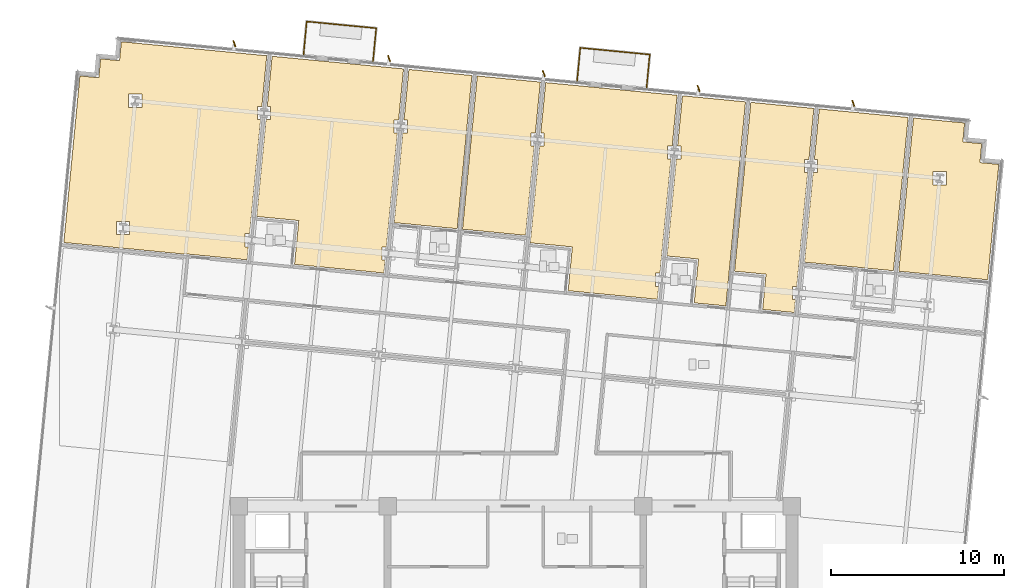
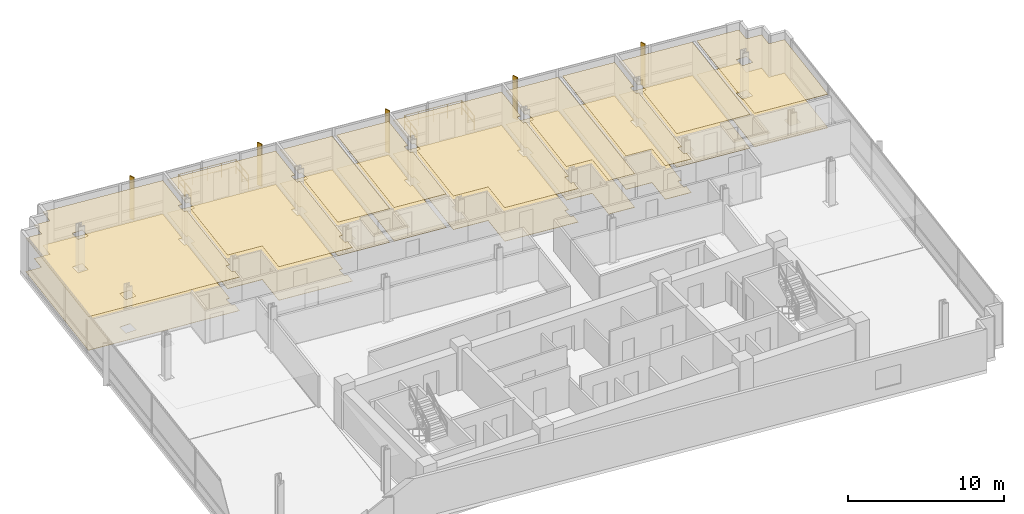
# One storey, part 16 of 17: 18 coverings, 6 railings, 5 shading devices.
"""IFC4 building model written with IfcOpenShell, lengths in metres."""

from ifc_helpers import new_model, si_unit, direction, frame, origin, origin_2d, place, context, subcontext, project, spatial, polyline, rectangle, circle, outline, extrude, material, layer, layer_set, type_object, element, save


model = new_model("IFC4")

# Units and contexts
model_context = context("Model", 3, precision=1e-05, world=origin(), true_north=direction((0.0, 1.0)))
body_context = subcontext(model_context, "Body", "Model", "MODEL_VIEW")
ifc_project = project(units=[si_unit("LENGTHUNIT", "METRE"), si_unit("AREAUNIT", "SQUARE_METRE"), si_unit("VOLUMEUNIT", "CUBIC_METRE"), si_unit("PLANEANGLEUNIT", "RADIAN"), si_unit("MASSUNIT", "GRAM", prefix="KILO")], contexts=[model_context])

# Site, building, storey
site_placement = place(None, origin())
site = spatial("IfcSite", under=ifc_project, at=site_placement, CompositionType="ELEMENT")
building_placement = place(site_placement, origin())
building = spatial("IfcBuilding", under=site, at=building_placement, Name="Solmavex Isthmus Hotel", CompositionType="ELEMENT")
storey_placement = place(building_placement, frame((0.0, 0.0, 139.35009765625)))
storey = spatial("IfcBuildingStorey", under=building, at=storey_placement, Name="L37", CompositionType="ELEMENT", Elevation=139.35009765625)

# Coverings
ifc_material_1 = material(Name="Gypsum plasterboard lining", Category="gypsum")
ifc_layer_1 = layer(ifc_material_1, 0.030029296875)
ifc_layer_set_1 = layer_set([ifc_layer_1], Name="Gypsum plasterboard lining")
covering_type_1 = type_object("IfcCoveringType", Name="COV-CEIL-GYP", PredefinedType="CEILING", material=ifc_layer_set_1)
covering_1_placement = place(storey_placement, frame((0.0, 0.0, 2.619873046875)))
element("IfcCovering", 1, at=covering_1_placement, inside=storey, type_object=covering_type_1, Name="Suspended Acoustic Ceiling L37-RM01", PredefinedType="CEILING", context=body_context, shape_type="SweptSolid", body=[
    extrude(outline(polyline([(-19.121337890625, 12.088623046875), (-19.119384765625, 12.1083984375), (-15.535888671875, 11.763427734375), (-15.463623046875, 12.51611328125), (-15.651123046875, 12.51611328125), (-15.651123046875, 13.276123046875), (-15.390380859375, 13.276123046875), (-14.755126953125, 19.874267578125), (-14.942626953125, 19.874267578125), (-14.942626953125, 20.63427734375), (-14.681884765625, 20.63427734375), (-14.3984375, 23.578857421875), (-21.99609375, 24.310302734375), (-22.8173828125, 24.389404296875), (-22.9228515625, 23.29443359375), (-24.017822265625, 23.39990234375), (-24.123291015625, 22.304931640625), (-25.218017578125, 22.410400390625), (-25.297119140625, 21.589111328125), (-26.14697265625, 12.764892578125), (-19.121337890625, 12.088623046875)]), holes=[polyline([(-22.396240234375, 20.591796875), (-22.396240234375, 21.351806640625), (-21.63623046875, 21.351806640625), (-21.63623046875, 20.591796875), (-22.396240234375, 20.591796875)]), polyline([(-23.104736328125, 13.23388671875), (-23.104736328125, 13.993896484375), (-22.3447265625, 13.993896484375), (-22.3447265625, 13.23388671875), (-23.104736328125, 13.23388671875)])]), origin(), (0.0, 0.0, 1.0), 0.030029296875),
])
covering_2_placement = place(storey_placement, frame((0.0, 0.0, 2.619873046875)))
element("IfcCovering", 2, at=covering_2_placement, inside=storey, type_object=covering_type_1, Name="Suspended Acoustic Ceiling L37-RM02", PredefinedType="CEILING", context=body_context, shape_type="SweptSolid", body=[
    extrude(outline(polyline([(-14.370361328125, 20.63427734375), (-14.1826171875, 20.63427734375), (-14.1826171875, 19.874267578125), (-14.443603515625, 19.874267578125), (-14.98291015625, 14.27197265625), (-12.544189453125, 14.037109375), (-12.788818359375, 11.498779296875), (-7.61669921875, 11.000732421875), (-7.544189453125, 11.753662109375), (-7.73193359375, 11.753662109375), (-7.73193359375, 12.513671875), (-7.470947265625, 12.513671875), (-6.835693359375, 19.111572265625), (-7.0234375, 19.111572265625), (-7.0234375, 19.87158203125), (-6.762451171875, 19.87158203125), (-6.47900390625, 22.816162109375), (-14.08984375, 23.549072265625), (-14.370361328125, 20.63427734375)])), origin(), (0.0, 0.0, 1.0), 0.030029296875),
])
covering_3_placement = place(storey_placement, frame((0.0, 0.0, 2.619873046875)))
element("IfcCovering", 3, at=covering_3_placement, inside=storey, type_object=covering_type_1, Name="Suspended Acoustic Ceiling L37-TB03", PredefinedType="CEILING", context=body_context, shape_type="SweptSolid", body=[
    extrude(outline(polyline([(-6.450927734375, 19.87158203125), (-6.263427734375, 19.87158203125), (-6.263427734375, 19.111572265625), (-6.524169921875, 19.111572265625), (-7.0146484375, 14.017822265625), (-7.024658203125, 13.91552734375), (-3.37353515625, 13.56396484375), (-2.519287109375, 22.434814453125), (-6.17041015625, 22.786376953125), (-6.450927734375, 19.87158203125)])), origin(), (0.0, 0.0, 1.0), 0.030029296875),
])
covering_4_placement = place(storey_placement, frame((0.0, 0.0, 2.619873046875)))
element("IfcCovering", 4, at=covering_4_placement, inside=storey, type_object=covering_type_1, Name="Suspended Acoustic Ceiling L37-TL03", PredefinedType="CEILING", context=body_context, shape_type="SweptSolid", body=[
    extrude(outline(polyline([(1.083740234375, 18.34912109375), (0.89599609375, 18.34912109375), (0.89599609375, 19.109130859375), (1.156982421875, 19.109130859375), (1.4404296875, 22.0537109375), (-2.210693359375, 22.4052734375), (-3.06494140625, 13.5341796875), (0.586181640625, 13.1826171875), (1.083740234375, 18.34912109375)])), origin(), (0.0, 0.0, 1.0), 0.030029296875),
])
covering_5_placement = place(storey_placement, frame((0.0, 0.0, 2.619873046875)))
element("IfcCovering", 5, at=covering_5_placement, inside=storey, type_object=covering_type_1, Name="Suspended Acoustic Ceiling L37-RM04", PredefinedType="CEILING", context=body_context, shape_type="SweptSolid", body=[
    extrude(outline(polyline([(1.46826171875, 19.109130859375), (1.656005859375, 19.109130859375), (1.656005859375, 18.34912109375), (1.395263671875, 18.34912109375), (0.855712890625, 12.746826171875), (3.29443359375, 12.511962890625), (3.050048828125, 9.973876953125), (4.7333984375, 9.811767578125), (5.606201171875, 9.7275390625), (8.22216796875, 9.475830078125), (8.294677734375, 10.228515625), (8.10693359375, 10.228515625), (8.10693359375, 10.988525390625), (8.36767578125, 10.988525390625), (9.003173828125, 17.586669921875), (8.8154296875, 17.586669921875), (8.8154296875, 18.346435546875), (9.076171875, 18.346435546875), (9.35986328125, 21.291015625), (1.7490234375, 22.02392578125), (1.46826171875, 19.109130859375)])), origin(), (0.0, 0.0, 1.0), 0.030029296875),
])
covering_6_placement = place(storey_placement, frame((0.0, 0.0, 2.619873046875)))
element("IfcCovering", 6, at=covering_6_placement, inside=storey, type_object=covering_type_1, Name="Suspended Acoustic Ceiling L37-RM05", PredefinedType="CEILING", context=body_context, shape_type="SweptSolid", body=[
    extrude(outline(polyline([(9.3876953125, 18.346435546875), (9.575439453125, 18.346435546875), (9.575439453125, 17.586669921875), (9.314453125, 17.586669921875), (8.775146484375, 11.984375), (10.596435546875, 11.808837890625), (10.35205078125, 9.270751953125), (12.181884765625, 9.094482421875), (13.319580078125, 20.909912109375), (9.66845703125, 21.261474609375), (9.3876953125, 18.346435546875)])), origin(), (0.0, 0.0, 1.0), 0.030029296875),
])
covering_7_placement = place(storey_placement, frame((0.0, 0.0, 2.619873046875)))
element("IfcCovering", 7, at=covering_7_placement, inside=storey, type_object=covering_type_1, Name="Suspended Acoustic Ceiling L37-RM06", PredefinedType="CEILING", context=body_context, shape_type="SweptSolid", body=[
    extrude(outline(polyline([(16.92236328125, 16.823974609375), (16.73486328125, 16.823974609375), (16.73486328125, 17.583984375), (16.99560546875, 17.583984375), (17.279052734375, 20.528564453125), (13.628173828125, 20.880126953125), (12.686767578125, 11.105224609375), (14.50830078125, 10.929931640625), (14.311767578125, 8.889404296875), (16.1416015625, 8.713134765625), (16.2138671875, 9.466064453125), (16.0263671875, 9.466064453125), (16.0263671875, 10.22607421875), (16.287109375, 10.22607421875), (16.92236328125, 16.823974609375)])), origin(), (0.0, 0.0, 1.0), 0.030029296875),
])
covering_8_placement = place(storey_placement, frame((0.0, 0.0, 2.619873046875)))
element("IfcCovering", 8, at=covering_8_placement, inside=storey, type_object=covering_type_1, Name="Suspended Acoustic Ceiling L37-TB07", PredefinedType="CEILING", context=body_context, shape_type="SweptSolid", body=[
    extrude(outline(polyline([(17.30712890625, 17.583984375), (17.494873046875, 17.583984375), (17.494873046875, 16.823974609375), (17.23388671875, 16.823974609375), (17.139404296875, 15.841552734375), (16.733642578125, 11.6279296875), (21.8837890625, 11.132080078125), (22.738037109375, 20.0029296875), (17.587646484375, 20.498779296875), (17.30712890625, 17.583984375)])), origin(), (0.0, 0.0, 1.0), 0.030029296875),
])
covering_9_placement = place(storey_placement, frame((0.0, 0.0, 2.619873046875)))
element("IfcCovering", 9, at=covering_9_placement, inside=storey, type_object=covering_type_1, Name="Suspended Acoustic Ceiling L37-TL07", PredefinedType="CEILING", context=body_context, shape_type="SweptSolid", body=[
    extrude(outline(polyline([(26.0068359375, 19.688232421875), (25.185546875, 19.767333984375), (23.04638671875, 19.97314453125), (22.1923828125, 11.102294921875), (27.342529296875, 10.6064453125), (27.90673828125, 16.46630859375), (27.98583984375, 17.287353515625), (26.890869140625, 17.392822265625), (26.996337890625, 18.48779296875), (25.9013671875, 18.59326171875), (26.0068359375, 19.688232421875)]), holes=[polyline([(24.188232421875, 16.106201171875), (24.188232421875, 16.8662109375), (24.9482421875, 16.8662109375), (24.9482421875, 16.106201171875), (24.188232421875, 16.106201171875)])]), origin(), (0.0, 0.0, 1.0), 0.030029296875),
])
ifc_material_2 = material(Name="Travertine natural stone", Category="masonry")
ifc_layer_2 = layer(ifc_material_2, 0.02490234375)
ifc_layer_set_2 = layer_set([ifc_layer_2], Name="Travertine natural stone")
covering_type_2 = type_object("IfcCoveringType", Name="COV-FLOR-STN", PredefinedType="FLOORING", material=ifc_layer_set_2)
covering_10_placement = place(storey_placement, origin())
element("IfcCovering", 10, at=covering_10_placement, inside=storey, type_object=covering_type_2, Name="Stone and Timber Floor Finish L37-RM01", PredefinedType="FLOORING", context=body_context, shape_type="SweptSolid", body=[
    extrude(outline(polyline([(-19.121337890625, 12.088623046875), (-19.119384765625, 12.1083984375), (-15.535888671875, 11.763427734375), (-15.463623046875, 12.51611328125), (-15.651123046875, 12.51611328125), (-15.651123046875, 13.276123046875), (-15.390380859375, 13.276123046875), (-14.755126953125, 19.874267578125), (-14.942626953125, 19.874267578125), (-14.942626953125, 20.63427734375), (-14.681884765625, 20.63427734375), (-14.3984375, 23.578857421875), (-21.99609375, 24.310302734375), (-22.8173828125, 24.389404296875), (-22.9228515625, 23.29443359375), (-24.017822265625, 23.39990234375), (-24.123291015625, 22.304931640625), (-25.218017578125, 22.410400390625), (-25.297119140625, 21.589111328125), (-26.14697265625, 12.764892578125), (-19.121337890625, 12.088623046875)]), holes=[polyline([(-22.396240234375, 20.591796875), (-22.396240234375, 21.351806640625), (-21.63623046875, 21.351806640625), (-21.63623046875, 20.591796875), (-22.396240234375, 20.591796875)]), polyline([(-23.104736328125, 13.23388671875), (-23.104736328125, 13.993896484375), (-22.3447265625, 13.993896484375), (-22.3447265625, 13.23388671875), (-23.104736328125, 13.23388671875)])]), origin(), (0.0, 0.0, 1.0), 0.02490234375),
])
covering_11_placement = place(storey_placement, origin())
element("IfcCovering", 11, at=covering_11_placement, inside=storey, type_object=covering_type_2, Name="Stone and Timber Floor Finish L37-RM02", PredefinedType="FLOORING", context=body_context, shape_type="SweptSolid", body=[
    extrude(outline(polyline([(-14.370361328125, 20.63427734375), (-14.1826171875, 20.63427734375), (-14.1826171875, 19.874267578125), (-14.443603515625, 19.874267578125), (-14.98291015625, 14.27197265625), (-12.544189453125, 14.037109375), (-12.788818359375, 11.498779296875), (-7.61669921875, 11.000732421875), (-7.544189453125, 11.753662109375), (-7.73193359375, 11.753662109375), (-7.73193359375, 12.513671875), (-7.470947265625, 12.513671875), (-6.835693359375, 19.111572265625), (-7.0234375, 19.111572265625), (-7.0234375, 19.87158203125), (-6.762451171875, 19.87158203125), (-6.47900390625, 22.816162109375), (-14.08984375, 23.549072265625), (-14.370361328125, 20.63427734375)])), origin(), (0.0, 0.0, 1.0), 0.02490234375),
])
covering_12_placement = place(storey_placement, origin())
element("IfcCovering", 12, at=covering_12_placement, inside=storey, type_object=covering_type_2, Name="Stone and Timber Floor Finish L37-TB03", PredefinedType="FLOORING", context=body_context, shape_type="SweptSolid", body=[
    extrude(outline(polyline([(-6.450927734375, 19.87158203125), (-6.263427734375, 19.87158203125), (-6.263427734375, 19.111572265625), (-6.524169921875, 19.111572265625), (-7.0146484375, 14.017822265625), (-7.024658203125, 13.91552734375), (-3.37353515625, 13.56396484375), (-2.519287109375, 22.434814453125), (-6.17041015625, 22.786376953125), (-6.450927734375, 19.87158203125)])), origin(), (0.0, 0.0, 1.0), 0.02490234375),
])
covering_13_placement = place(storey_placement, origin())
element("IfcCovering", 13, at=covering_13_placement, inside=storey, type_object=covering_type_2, Name="Stone and Timber Floor Finish L37-TL03", PredefinedType="FLOORING", context=body_context, shape_type="SweptSolid", body=[
    extrude(outline(polyline([(1.083740234375, 18.34912109375), (0.89599609375, 18.34912109375), (0.89599609375, 19.109130859375), (1.156982421875, 19.109130859375), (1.4404296875, 22.0537109375), (-2.210693359375, 22.4052734375), (-3.06494140625, 13.5341796875), (0.586181640625, 13.1826171875), (1.083740234375, 18.34912109375)])), origin(), (0.0, 0.0, 1.0), 0.02490234375),
])
covering_14_placement = place(storey_placement, origin())
element("IfcCovering", 14, at=covering_14_placement, inside=storey, type_object=covering_type_2, Name="Stone and Timber Floor Finish L37-RM04", PredefinedType="FLOORING", context=body_context, shape_type="SweptSolid", body=[
    extrude(outline(polyline([(1.46826171875, 19.109130859375), (1.656005859375, 19.109130859375), (1.656005859375, 18.34912109375), (1.395263671875, 18.34912109375), (0.855712890625, 12.746826171875), (3.29443359375, 12.511962890625), (3.050048828125, 9.973876953125), (4.7333984375, 9.811767578125), (5.606201171875, 9.7275390625), (8.22216796875, 9.475830078125), (8.294677734375, 10.228515625), (8.10693359375, 10.228515625), (8.10693359375, 10.988525390625), (8.36767578125, 10.988525390625), (9.003173828125, 17.586669921875), (8.8154296875, 17.586669921875), (8.8154296875, 18.346435546875), (9.076171875, 18.346435546875), (9.35986328125, 21.291015625), (1.7490234375, 22.02392578125), (1.46826171875, 19.109130859375)])), origin(), (0.0, 0.0, 1.0), 0.02490234375),
])
covering_15_placement = place(storey_placement, origin())
element("IfcCovering", 15, at=covering_15_placement, inside=storey, type_object=covering_type_2, Name="Stone and Timber Floor Finish L37-RM05", PredefinedType="FLOORING", context=body_context, shape_type="SweptSolid", body=[
    extrude(outline(polyline([(9.3876953125, 18.346435546875), (9.575439453125, 18.346435546875), (9.575439453125, 17.586669921875), (9.314453125, 17.586669921875), (8.775146484375, 11.984375), (10.596435546875, 11.808837890625), (10.35205078125, 9.270751953125), (12.181884765625, 9.094482421875), (13.319580078125, 20.909912109375), (9.66845703125, 21.261474609375), (9.3876953125, 18.346435546875)])), origin(), (0.0, 0.0, 1.0), 0.02490234375),
])
covering_16_placement = place(storey_placement, origin())
element("IfcCovering", 16, at=covering_16_placement, inside=storey, type_object=covering_type_2, Name="Stone and Timber Floor Finish L37-RM06", PredefinedType="FLOORING", context=body_context, shape_type="SweptSolid", body=[
    extrude(outline(polyline([(16.92236328125, 16.823974609375), (16.73486328125, 16.823974609375), (16.73486328125, 17.583984375), (16.99560546875, 17.583984375), (17.279052734375, 20.528564453125), (13.628173828125, 20.880126953125), (12.686767578125, 11.105224609375), (14.50830078125, 10.929931640625), (14.311767578125, 8.889404296875), (16.1416015625, 8.713134765625), (16.2138671875, 9.466064453125), (16.0263671875, 9.466064453125), (16.0263671875, 10.22607421875), (16.287109375, 10.22607421875), (16.92236328125, 16.823974609375)])), origin(), (0.0, 0.0, 1.0), 0.02490234375),
])
covering_17_placement = place(storey_placement, origin())
element("IfcCovering", 17, at=covering_17_placement, inside=storey, type_object=covering_type_2, Name="Stone and Timber Floor Finish L37-TB07", PredefinedType="FLOORING", context=body_context, shape_type="SweptSolid", body=[
    extrude(outline(polyline([(17.30712890625, 17.583984375), (17.494873046875, 17.583984375), (17.494873046875, 16.823974609375), (17.23388671875, 16.823974609375), (17.139404296875, 15.841552734375), (16.733642578125, 11.6279296875), (21.8837890625, 11.132080078125), (22.738037109375, 20.0029296875), (17.587646484375, 20.498779296875), (17.30712890625, 17.583984375)])), origin(), (0.0, 0.0, 1.0), 0.02490234375),
])
covering_18_placement = place(storey_placement, origin())
element("IfcCovering", 18, at=covering_18_placement, inside=storey, type_object=covering_type_2, Name="Stone and Timber Floor Finish L37-TL07", PredefinedType="FLOORING", context=body_context, shape_type="SweptSolid", body=[
    extrude(outline(polyline([(26.0068359375, 19.688232421875), (25.185546875, 19.767333984375), (23.04638671875, 19.97314453125), (22.1923828125, 11.102294921875), (27.342529296875, 10.6064453125), (27.90673828125, 16.46630859375), (27.98583984375, 17.287353515625), (26.890869140625, 17.392822265625), (26.996337890625, 18.48779296875), (25.9013671875, 18.59326171875), (26.0068359375, 19.688232421875)]), holes=[polyline([(24.188232421875, 16.106201171875), (24.188232421875, 16.8662109375), (24.9482421875, 16.8662109375), (24.9482421875, 16.106201171875), (24.188232421875, 16.106201171875)])]), origin(), (0.0, 0.0, 1.0), 0.02490234375),
])

# Railings
ifc_material_3 = material(Name="Clear low-E laminated glass", Category="glass")
ifc_layer_3 = layer(ifc_material_3, 0.070068359375)
ifc_layer_set_3 = layer_set([ifc_layer_3], Name="Clear low-E laminated glass")
railing_type = type_object("IfcRailingType", Name="RAIL-GUARD-1100", PredefinedType="BALUSTRADE", material=ifc_layer_set_3)
railing_1_placement = place(storey_placement, frame((-12.268798828125, 23.64990234375, 0.0)))
element("IfcRailing", 19, at=railing_1_placement, inside=storey, type_object=railing_type, Name="Guardrail Balustrade L37-BAL1-01", PredefinedType="BALUSTRADE", context=body_context, shape_type="SweptSolid", body=[
    extrude(circle(Radius=0.02392578125, at=origin_2d()), frame((0.0, 0.0, 1.09619140625), z_axis=(0.095877165628, 0.995393173129, 0.0), x_axis=(-0.995393173129, 0.095877165628, 0.0)), (0.0, 0.0, 1.0), 1.919921875),
    extrude(circle(Radius=0.02392578125, at=origin_2d()), frame((0.0, 0.0, 0.56005859375), z_axis=(0.095877165628, 0.995393173129, 0.0), x_axis=(-0.995393173129, 0.095877165628, 0.0)), (0.0, 0.0, 1.0), 1.919921875),
    extrude(circle(Radius=0.02099609375, at=origin_2d()), origin(), (0.0, 0.0, 1.0), 1.072021484375),
    extrude(circle(Radius=0.02099609375, at=origin_2d()), frame((0.092041015625, 0.95556640625, 0.0)), (0.0, 0.0, 1.0), 1.072021484375),
    extrude(circle(Radius=0.02099609375, at=origin_2d()), frame((0.18408203125, 1.9111328125, 0.0)), (0.0, 0.0, 1.0), 1.072021484375),
])
railing_2_placement = place(storey_placement, frame((-12.084716796875, 25.56103515625, 0.0)))
element("IfcRailing", 20, at=railing_2_placement, inside=storey, type_object=railing_type, Name="Guardrail Balustrade L37-BAL1-02", PredefinedType="BALUSTRADE", context=body_context, shape_type="SweptSolid", body=[
    extrude(circle(Radius=0.02392578125, at=origin_2d()), frame((0.0, 0.0, 1.09619140625), z_axis=(0.995396620385, -0.095841369593, 0.0), x_axis=(0.095841369593, 0.995396620385, 0.0)), (0.0, 0.0, 1.0), 4.0400390625),
    extrude(circle(Radius=0.02392578125, at=origin_2d()), frame((0.0, 0.0, 0.56005859375), z_axis=(0.995396620385, -0.095841369593, 0.0), x_axis=(0.095841369593, 0.995396620385, 0.0)), (0.0, 0.0, 1.0), 4.0400390625),
    extrude(circle(Radius=0.02099609375, at=origin_2d()), origin(), (0.0, 0.0, 1.0), 1.072021484375),
    extrude(circle(Radius=0.02099609375, at=origin_2d()), frame((1.00537109375, -0.0966796875, 0.0)), (0.0, 0.0, 1.0), 1.072021484375),
    extrude(circle(Radius=0.02099609375, at=origin_2d()), frame((2.0107421875, -0.193603515625, 0.0)), (0.0, 0.0, 1.0), 1.072021484375),
    extrude(circle(Radius=0.02099609375, at=origin_2d()), frame((3.01611328125, -0.29052734375, 0.0)), (0.0, 0.0, 1.0), 1.072021484375),
    extrude(circle(Radius=0.02099609375, at=origin_2d()), frame((4.021484375, -0.38720703125, 0.0)), (0.0, 0.0, 1.0), 1.072021484375),
])
railing_3_placement = place(storey_placement, frame((-8.063232421875, 25.173828125, 0.0)))
element("IfcRailing", 21, at=railing_3_placement, inside=storey, type_object=railing_type, Name="Guardrail Balustrade L37-BAL1-03", PredefinedType="BALUSTRADE", context=body_context, shape_type="SweptSolid", body=[
    extrude(circle(Radius=0.02392578125, at=origin_2d()), frame((0.0, 0.0, 1.09619140625), z_axis=(-0.095877165628, -0.995393173129, 0.0), x_axis=(0.995393173129, -0.095877165628, 0.0)), (0.0, 0.0, 1.0), 1.919921875),
    extrude(circle(Radius=0.02392578125, at=origin_2d()), frame((0.0, 0.0, 0.56005859375), z_axis=(-0.095877165628, -0.995393173129, 0.0), x_axis=(0.995393173129, -0.095877165628, 0.0)), (0.0, 0.0, 1.0), 1.919921875),
    extrude(circle(Radius=0.02099609375, at=origin_2d()), origin(), (0.0, 0.0, 1.0), 1.072021484375),
    extrude(circle(Radius=0.02099609375, at=origin_2d()), frame((-0.092041015625, -0.95556640625, 0.0)), (0.0, 0.0, 1.0), 1.072021484375),
    extrude(circle(Radius=0.02099609375, at=origin_2d()), frame((-0.18408203125, -1.9111328125, 0.0)), (0.0, 0.0, 1.0), 1.072021484375),
])
railing_4_placement = place(storey_placement, frame((3.570068359375, 22.124755859375, 0.0)))
element("IfcRailing", 22, at=railing_4_placement, inside=storey, type_object=railing_type, Name="Guardrail Balustrade L37-BAL2-01", PredefinedType="BALUSTRADE", context=body_context, shape_type="SweptSolid", body=[
    extrude(circle(Radius=0.02392578125, at=origin_2d()), frame((0.0, 0.0, 1.09619140625), z_axis=(0.095865031769, 0.995394341798, 0.0), x_axis=(-0.995394341798, 0.095865031769, 0.0)), (0.0, 0.0, 1.0), 1.920166015625),
    extrude(circle(Radius=0.02392578125, at=origin_2d()), frame((0.0, 0.0, 0.56005859375), z_axis=(0.095865031769, 0.995394341798, 0.0), x_axis=(-0.995394341798, 0.095865031769, 0.0)), (0.0, 0.0, 1.0), 1.920166015625),
    extrude(circle(Radius=0.02099609375, at=origin_2d()), origin(), (0.0, 0.0, 1.0), 1.072021484375),
    extrude(circle(Radius=0.02099609375, at=origin_2d()), frame((0.092041015625, 0.95556640625, 0.0)), (0.0, 0.0, 1.0), 1.072021484375),
    extrude(circle(Radius=0.02099609375, at=origin_2d()), frame((0.18408203125, 1.911376953125, 0.0)), (0.0, 0.0, 1.0), 1.072021484375),
])
railing_5_placement = place(storey_placement, frame((3.754150390625, 24.0361328125, 0.0)))
element("IfcRailing", 23, at=railing_5_placement, inside=storey, type_object=railing_type, Name="Guardrail Balustrade L37-BAL2-02", PredefinedType="BALUSTRADE", context=body_context, shape_type="SweptSolid", body=[
    extrude(circle(Radius=0.02392578125, at=origin_2d()), frame((0.0, 0.0, 1.09619140625), z_axis=(0.995396065255, -0.095847134934, 0.0), x_axis=(0.095847134934, 0.995396065255, 0.0)), (0.0, 0.0, 1.0), 4.039794921875),
    extrude(circle(Radius=0.02392578125, at=origin_2d()), frame((0.0, 0.0, 0.56005859375), z_axis=(0.995396065255, -0.095847134934, 0.0), x_axis=(0.095847134934, 0.995396065255, 0.0)), (0.0, 0.0, 1.0), 4.039794921875),
    extrude(circle(Radius=0.02099609375, at=origin_2d()), origin(), (0.0, 0.0, 1.0), 1.072021484375),
    extrude(circle(Radius=0.02099609375, at=origin_2d()), frame((1.00537109375, -0.0966796875, 0.0)), (0.0, 0.0, 1.0), 1.072021484375),
    extrude(circle(Radius=0.02099609375, at=origin_2d()), frame((2.0107421875, -0.193603515625, 0.0)), (0.0, 0.0, 1.0), 1.072021484375),
    extrude(circle(Radius=0.02099609375, at=origin_2d()), frame((3.015869140625, -0.29052734375, 0.0)), (0.0, 0.0, 1.0), 1.072021484375),
    extrude(circle(Radius=0.02099609375, at=origin_2d()), frame((4.021240234375, -0.38720703125, 0.0)), (0.0, 0.0, 1.0), 1.072021484375),
])
railing_6_placement = place(storey_placement, frame((7.775390625, 23.64892578125, 0.0)))
element("IfcRailing", 24, at=railing_6_placement, inside=storey, type_object=railing_type, Name="Guardrail Balustrade L37-BAL2-03", PredefinedType="BALUSTRADE", context=body_context, shape_type="SweptSolid", body=[
    extrude(circle(Radius=0.02392578125, at=origin_2d()), frame((0.0, 0.0, 1.09619140625), z_axis=(-0.095739055962, -0.995406466306, 0.0), x_axis=(0.995406466306, -0.095739055962, 0.0)), (0.0, 0.0, 1.0), 1.920166015625),
    extrude(circle(Radius=0.02392578125, at=origin_2d()), frame((0.0, 0.0, 0.56005859375), z_axis=(-0.095739055962, -0.995406466306, 0.0), x_axis=(0.995406466306, -0.095739055962, 0.0)), (0.0, 0.0, 1.0), 1.920166015625),
    extrude(circle(Radius=0.02099609375, at=origin_2d()), origin(), (0.0, 0.0, 1.0), 1.072021484375),
    extrude(circle(Radius=0.02099609375, at=origin_2d()), frame((-0.091796875, -0.95556640625, 0.0)), (0.0, 0.0, 1.0), 1.072021484375),
    extrude(circle(Radius=0.02099609375, at=origin_2d()), frame((-0.183837890625, -1.911376953125, 0.0)), (0.0, 0.0, 1.0), 1.072021484375),
])

# Shading devices
ifc_material_4 = material(Name="Aluminium alloy 6063-T6", Category="aluminium")
shading_device_type = type_object("IfcShadingDeviceType", Name="SHD-FIN-CHAMP", PredefinedType="USERDEFINED", material=ifc_material_4)
for number, where, z_axis, x_axis, name in (
    (25, (-16.27294921875, 24.276611328125, -0.14013671875), (0.0, 0.0, 1.0), (-0.350207381259, 0.936672189248, 0.0), "Anodised Aluminium Solar Fin L37-N1"),
    (26, (-7.314453125, 23.4140625, -0.14013671875), (0.0, 0.0, 1.0), (-0.350207381259, 0.936672189248, 0.0), "Anodised Aluminium Solar Fin L37-N2"),
    (27, (1.64404296875, 22.551513671875, -0.14013671875), (0.0, 0.0, 1.0), (-0.350207381259, 0.936672189248, 0.0), "Anodised Aluminium Solar Fin L37-N3"),
    (28, (10.6025390625, 21.688720703125, -0.14013671875), (0.0, 0.0, 1.0), (-0.350207381259, 0.936672189248, 0.0), "Anodised Aluminium Solar Fin L37-N4"),
    (29, (19.561279296875, 20.826171875, -0.14013671875), (0.0, 0.0, 1.0), (-0.350207381259, 0.936672189248, 0.0), "Anodised Aluminium Solar Fin L37-N5"),
):
    element("IfcShadingDevice", number, at=place(storey_placement, frame(where, z_axis=z_axis, x_axis=x_axis)), inside=storey, type_object=shading_device_type, Name=name, ObjectType="SOLAR_FIN", PredefinedType="USERDEFINED", context=body_context, shape_type="SweptSolid", body=[
        extrude(rectangle(XDim=0.3798828125, YDim=0.070068359375, at=origin_2d()), origin(), (0.0, 0.0, 1.0), 3.330078125),
    ])

save(model, "model.ifc")
